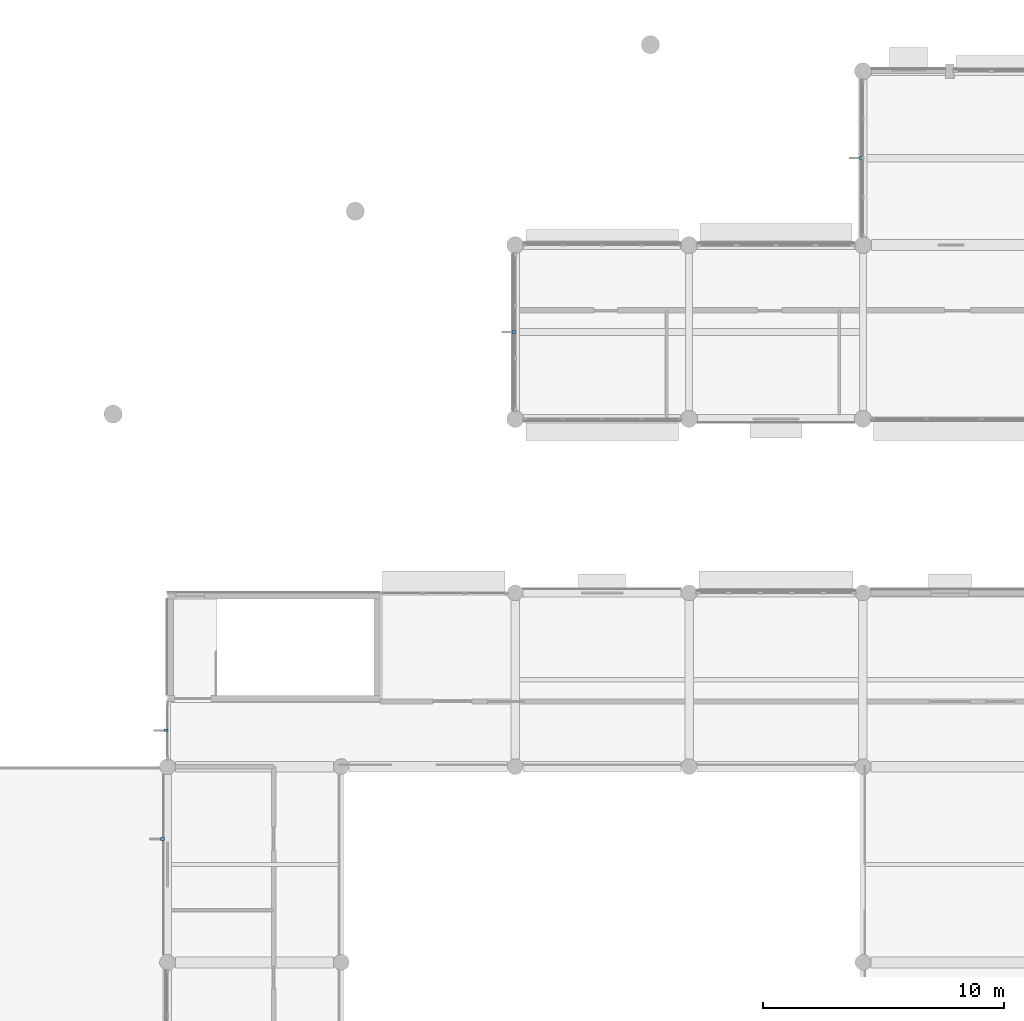
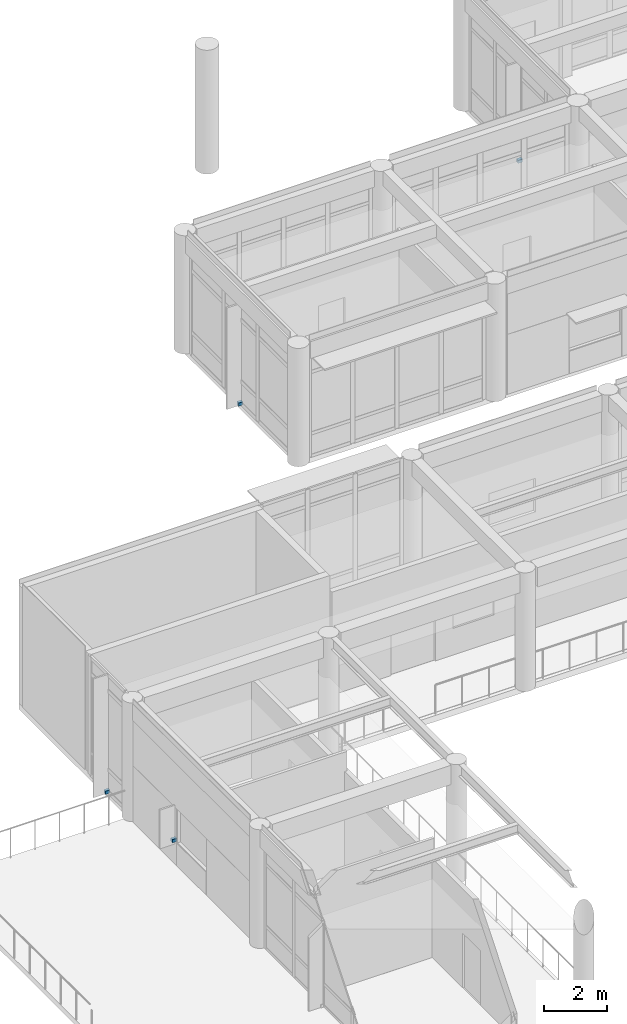
# One storey, part 60 of 92: 4 discrete accessories.
"""IFC4 building model written with IfcOpenShell, lengths in metres."""

from ifc_helpers import new_model, si_unit, direction, frame, origin, origin_2d, place, context, subcontext, project, spatial, rectangle, extrude, material, type_object, element, save


model = new_model("IFC4")

# Units and contexts
model_context = context("Model", 3, precision=1e-05, world=origin(), true_north=direction((0.0, 1.0)))
body_context = subcontext(model_context, "Body", "Model", "MODEL_VIEW")
ifc_project = project(units=[si_unit("LENGTHUNIT", "METRE"), si_unit("AREAUNIT", "SQUARE_METRE"), si_unit("VOLUMEUNIT", "CUBIC_METRE"), si_unit("PLANEANGLEUNIT", "RADIAN"), si_unit("MASSUNIT", "GRAM", prefix="KILO")], contexts=[model_context])

# Site, building, storey
site_placement = place(None, origin())
site = spatial("IfcSite", under=ifc_project, at=site_placement, CompositionType="ELEMENT")
building_placement = place(site_placement, origin())
building = spatial("IfcBuilding", under=site, at=building_placement, Name="Namkhue Oval Health Centre", CompositionType="ELEMENT")
storey_placement = place(building_placement, frame((0.0, 0.0, 4.800048828125)))
storey = spatial("IfcBuildingStorey", under=building, at=storey_placement, Name="L01", CompositionType="ELEMENT", Elevation=4.800048828125)

# Discrete accessories
ifc_material = material(Name="Structural steel S355JR (TCVN CCT38)", Category="steel")
discrete_accessory_type = type_object("IfcDiscreteAccessoryType", Name="FACADE SHADING BRACKET", PredefinedType="BRACKET", material=ifc_material)
for number, where, z_axis, x_axis, name in (
    (1, (21.5400390625, 77.10888671875, 0.0), (0.0, 0.0, 1.0), (-1.0, 0.0, 0.0), "Solar Fin Bracket 41"),
    (2, (21.39501953125, 72.614990234375, 0.89990234375), (0.0, 0.0, 1.0), (-1.0, 0.0, 0.0), "Window Fin Bracket 42"),
    (3, (50.340087890625, 100.800048828125, 0.0), (0.0, 0.0, 1.0), (-1.0, 0.0, 0.0), "Solar Fin Bracket 73"),
    (4, (35.93994140625, 93.60009765625, 0.0), (0.0, 0.0, 1.0), (-1.0, 0.0, 0.0), "Solar Fin Bracket 76"),
):
    element("IfcDiscreteAccessory", number, at=place(storey_placement, frame(where, z_axis=z_axis, x_axis=x_axis)), inside=storey, type_object=discrete_accessory_type, Name=name, PredefinedType="BRACKET", context=body_context, shape_type="SweptSolid", body=[
        extrude(rectangle(XDim=0.159912109375, YDim=0.1201171875, at=origin_2d()), origin(), (0.0, 0.0, 1.0), 0.1201171875),
    ])

save(model, "model.ifc")
